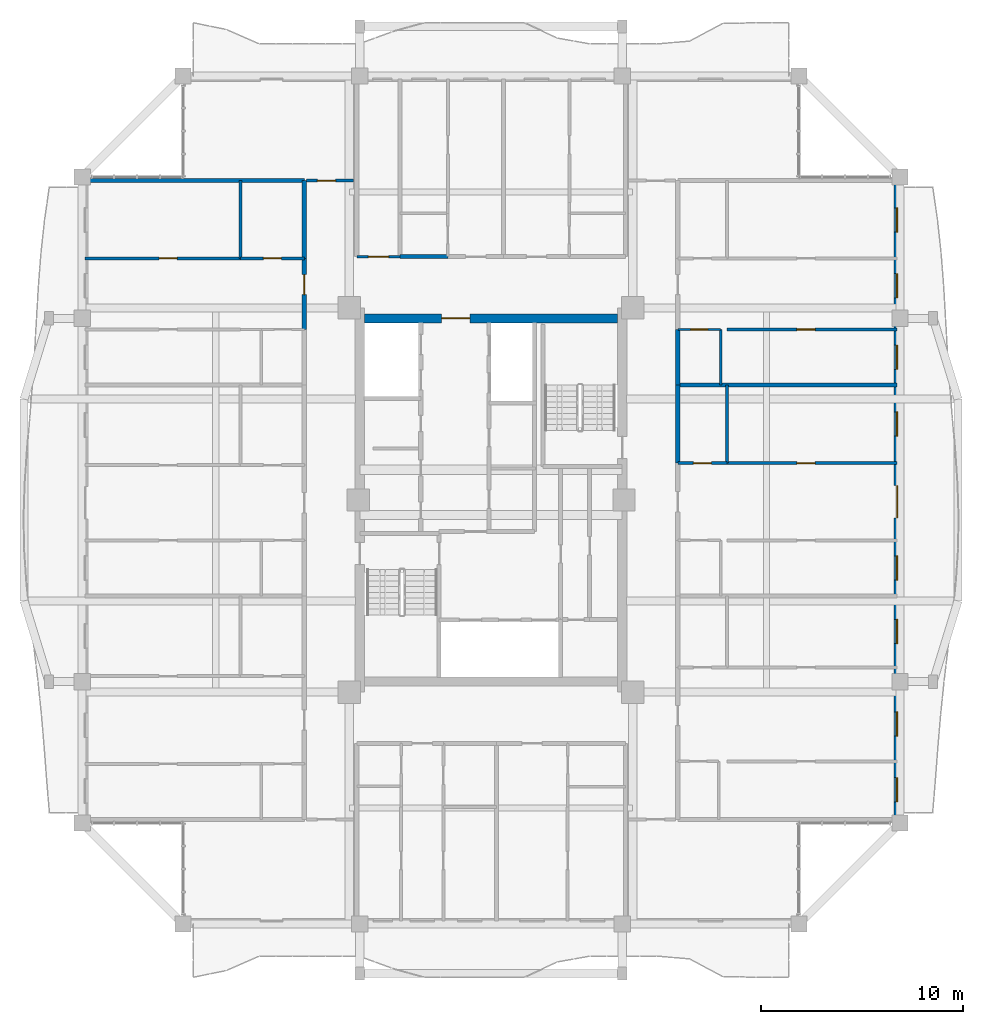
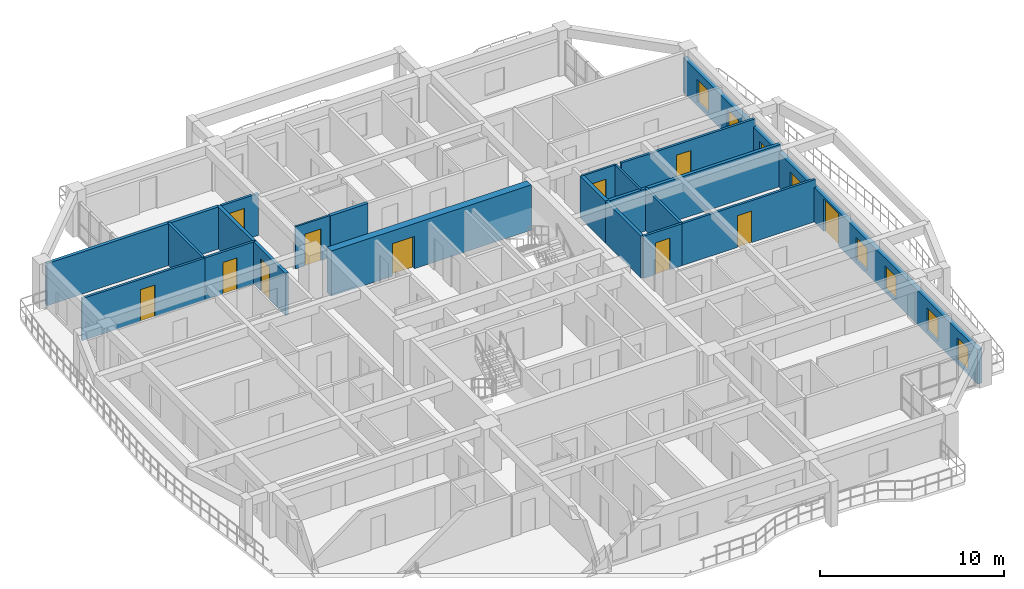
# One storey, part 14 of 22: 20 walls, 11 doors, 8 windows, 19 openings.
"""IFC4 building model written with IfcOpenShell, lengths in metres."""

import ifcopenshell
import ifcopenshell.guid

model = None  # the IFC model being written
_history = None  # IfcOwnerHistory: only IFC2X3 demands one
_inside = {}  # id of a spatial element -> (the spatial element, [elements in it])
_under = {}  # id of a project, library or spatial element -> (it, [spatial elements below it])
_declared = {}  # id of a project -> (the project, [libraries it declares])
_typed = {}  # id of a type object -> (the type object, [elements of that type])
_made_of = {}  # id of a material, layer set ... -> (it, [elements and type objects made of it])


def new_model(schema):
    """Start an empty IFC model of exactly this schema.

    Asked for "IFC4X3", IfcOpenShell would pick the latest addendum, in which some entities
    have other attributes; the version numbers below select the first issue.
    IFC2X3 requires an IfcOwnerHistory on every rooted entity: one is made here for all.
    """
    global model, _history
    if schema == "IFC4X3":
        model = ifcopenshell.file(schema_version=(4, 3, 0, 0))
    else:
        model = ifcopenshell.file(schema=schema)
    _inside.clear()
    _under.clear()
    _declared.clear()
    _typed.clear()
    _made_of.clear()
    _history = None
    if model.schema == "IFC2X3":
        org = make("IfcOrganization", Name="unknown")
        user = make(
            "IfcPersonAndOrganization",
            ThePerson=make("IfcPerson", FamilyName="unknown"),
            TheOrganization=org,
        )
        app = make(
            "IfcApplication",
            ApplicationDeveloper=org,
            Version="unknown",
            ApplicationFullName="unknown",
            ApplicationIdentifier="unknown",
        )
        _history = make(
            "IfcOwnerHistory",
            OwningUser=user,
            OwningApplication=app,
            ChangeAction="ADDED",
            CreationDate=0,
        )
    return model


def make(cls, **values):
    """One entity of the class cls with the attributes given. An attribute that is None is left unset."""
    return model.create_entity(
        cls, **{name: value for name, value in values.items() if value is not None}
    )


def rooted(cls, **values):
    """An entity with a GlobalId (a new one), such as an element, a storey or a relation."""
    return make(cls, GlobalId=ifcopenshell.guid.new(), OwnerHistory=_history, **values)


def si_unit(unit_type, name, prefix=None):
    """IfcSIUnit, for example si_unit("LENGTHUNIT", "METRE", prefix="MILLI")."""
    return make("IfcSIUnit", UnitType=unit_type, Prefix=prefix, Name=name)


def assignment(units):
    """IfcUnitAssignment: the units of a project."""
    return None if units is None else make("IfcUnitAssignment", Units=units)


def point(xyz):
    """IfcCartesianPoint."""
    return None if xyz is None else make("IfcCartesianPoint", Coordinates=xyz)


def direction(xyz):
    """IfcDirection."""
    return None if xyz is None else make("IfcDirection", DirectionRatios=xyz)


def frame(location, z_axis=None, x_axis=None):
    """IfcAxis2Placement3D, a coordinate frame: its origin and axes. An axis left out is left unset."""
    return make(
        "IfcAxis2Placement3D",
        Location=point(location),
        Axis=direction(z_axis),
        RefDirection=direction(x_axis),
    )


def frame_2d(location, x_axis=None):
    """IfcAxis2Placement2D, a coordinate frame in the plane: its origin and x axis."""
    return make(
        "IfcAxis2Placement2D", Location=point(location), RefDirection=direction(x_axis)
    )


def origin():
    """The frame at (0, 0, 0) with its axes left unset."""
    return frame((0.0, 0.0, 0.0))


def place(relative_to, where):
    """IfcLocalPlacement: puts the frame where relative to a parent placement (None: the world)."""
    return make(
        "IfcLocalPlacement", PlacementRelTo=relative_to, RelativePlacement=where
    )


def context(
    kind, dimensions, precision=None, world=None, true_north=None, identifier=None
):
    """IfcGeometricRepresentationContext, for example the 3D "Model" context."""
    return make(
        "IfcGeometricRepresentationContext",
        ContextIdentifier=identifier,
        ContextType=kind,
        CoordinateSpaceDimension=dimensions,
        Precision=precision,
        WorldCoordinateSystem=world,
        TrueNorth=true_north,
    )


def subcontext(parent, identifier, kind, view, scale=None):
    """IfcGeometricRepresentationSubContext, for example "Body" below "Model"."""
    return make(
        "IfcGeometricRepresentationSubContext",
        ContextIdentifier=identifier,
        ContextType=kind,
        ParentContext=parent,
        TargetScale=scale,
        TargetView=view,
    )


def project(units=None, contexts=None):
    """IfcProject with its units and contexts."""
    return rooted(
        "IfcProject",
        Name="project",
        RepresentationContexts=contexts,
        UnitsInContext=assignment(units),
    )


def spatial(cls, under=None, at=None, **own):
    """A site, building, storey or space (cls), placed at a placement, below another one or the project."""
    s = rooted(cls, ObjectPlacement=at, **own)
    if under is not None:
        _under.setdefault(under.id(), (under, []))[1].append(s)
    return s


def profile(cls, at=None, kind="AREA", **sizes):
    """A parametric profile (cls). Its sizes go by their IFC names, for example OverallWidth=200.0."""
    return make(cls, ProfileType=kind, Position=at, **sizes)


def rectangle(**sizes):
    """IfcRectangleProfileDef."""
    return profile("IfcRectangleProfileDef", **sizes)


def extrude(swept, where, along, depth):
    """IfcExtrudedAreaSolid: the profile swept, set in the frame where, extruded along a direction by depth."""
    return make(
        "IfcExtrudedAreaSolid",
        SweptArea=swept,
        Position=where,
        ExtrudedDirection=direction(along),
        Depth=depth,
    )


def shape(context_of_items, identifier, shape_type, items):
    """IfcShapeRepresentation: the items that make up one representation, for example the "Body"."""
    return make(
        "IfcShapeRepresentation",
        ContextOfItems=context_of_items,
        RepresentationIdentifier=identifier,
        RepresentationType=shape_type,
        Items=items,
    )


def source(mapping_origin, context_of_items, identifier, shape_type, items):
    """IfcRepresentationMap: a shape defined once, which mapped items show again and again."""
    return make(
        "IfcRepresentationMap",
        MappingOrigin=mapping_origin,
        MappedRepresentation=shape(context_of_items, identifier, shape_type, items),
    )


def transform(
    local_origin,
    x_axis=None,
    y_axis=None,
    z_axis=None,
    scale=None,
    scale2=None,
    scale3=None,
    uniform=True,
):
    """IfcCartesianTransformationOperator3D, or its non-uniform kind. x_axis, y_axis, z_axis: its Axis1, 2, 3."""
    if uniform:
        return make(
            "IfcCartesianTransformationOperator3D",
            Axis1=direction(x_axis),
            Axis2=direction(y_axis),
            LocalOrigin=point(local_origin),
            Scale=scale,
            Axis3=direction(z_axis),
        )
    return make(
        "IfcCartesianTransformationOperator3DnonUniform",
        Axis1=direction(x_axis),
        Axis2=direction(y_axis),
        LocalOrigin=point(local_origin),
        Scale=scale,
        Axis3=direction(z_axis),
        Scale2=scale2,
        Scale3=scale3,
    )


def mapped(mapping_source, mapping_target):
    """IfcMappedItem: shows the shape of a source again, moved by a transform."""
    return make(
        "IfcMappedItem", MappingSource=mapping_source, MappingTarget=mapping_target
    )


def material(Name=None, Category=None):
    """IfcMaterial."""
    return make("IfcMaterial", Name=Name, Category=Category)


def layer(
    of_material, thickness, ventilated=None, Name=None, Category=None, Priority=None
):
    """IfcMaterialLayer: one layer of a wall or slab, of a material (None: an air gap)."""
    return make(
        "IfcMaterialLayer",
        Material=of_material,
        LayerThickness=thickness,
        IsVentilated=ventilated,
        Name=Name,
        Category=Category,
        Priority=Priority,
    )


def layer_set(layers, Name=None):
    """IfcMaterialLayerSet."""
    return make("IfcMaterialLayerSet", MaterialLayers=layers, LayerSetName=Name)


def made_of(thing, what):
    """Note that an element or type object is made of a material, layer set ...; save() writes the relation."""
    if what is not None:
        _made_of.setdefault(what.id(), (what, []))[1].append(thing)
    return thing


def type_object(cls, material=None, **own):
    """A type object (cls), such as IfcWallType, which elements share."""
    return made_of(rooted(cls, **own), material)


def element(
    cls,
    number,
    at=None,
    inside=None,
    cuts=None,
    type_object=None,
    material=None,
    context=None,
    identifier="Body",
    shape_type=None,
    held_by="IfcProductDefinitionShape",
    body=None,
    shapes=None,
    **own,
):
    """One element of the class cls, such as IfcWall. Its Tag is "e" and its number.

    at: its placement. inside: the storey or other place that contains it. cuts: it is an
    opening in that element (IfcRelVoidsElement). A single representation is given by context,
    identifier, shape_type and body (its items); several are given by shapes. held_by: the class
    of the entity that holds the representations. save() writes the other relations.
    """
    e = rooted(cls, Tag="e%d" % number, ObjectPlacement=at, **own)
    if body is not None:
        shapes = [shape(context, identifier, shape_type, body)]
    if shapes is not None:
        e.Representation = make(held_by, Representations=shapes)
    if inside is not None:
        _inside.setdefault(inside.id(), (inside, []))[1].append(e)
    if cuts is not None:
        rooted(
            "IfcRelVoidsElement", RelatingBuildingElement=cuts, RelatedOpeningElement=e
        )
    if type_object is not None:
        _typed.setdefault(type_object.id(), (type_object, []))[1].append(e)
    return made_of(e, material)


def fill(opening, filler):
    """IfcRelFillsElement: the door or window that sits in an opening."""
    return rooted(
        "IfcRelFillsElement",
        RelatingOpeningElement=opening,
        RelatedBuildingElement=filler,
    )


def aggregate(whole, parts):
    """IfcRelAggregates: a whole, such as a stair, and the parts it consists of."""
    return rooted("IfcRelAggregates", RelatingObject=whole, RelatedObjects=parts)


def save(model, path):
    """Write the relations noted so far, then the file.

    IfcRelAggregates (storeys below a building ...), IfcRelContainedInSpatialStructure (elements
    in a storey), IfcRelDefinesByType, IfcRelAssociatesMaterial and IfcRelDeclares: one each for
    every whole, place, type object, material and project.
    """
    for whole, parts in _under.values():
        aggregate(whole, parts)
    for where, things in _inside.values():
        rooted(
            "IfcRelContainedInSpatialStructure",
            RelatedElements=things,
            RelatingStructure=where,
        )
    for kind, things in _typed.values():
        rooted("IfcRelDefinesByType", RelatedObjects=things, RelatingType=kind)
    for what, things in _made_of.values():
        rooted("IfcRelAssociatesMaterial", RelatedObjects=things, RelatingMaterial=what)
    for by, libraries in _declared.values():
        rooted("IfcRelDeclares", RelatingContext=by, RelatedDefinitions=libraries)
    model.write(path)


model = new_model("IFC4")

# Units and contexts
model_context = context("Model", 3, precision=1e-05, world=origin(), true_north=direction((0.0, 1.0)))
body_context = subcontext(model_context, "Body", "Model", "MODEL_VIEW")
ifc_project = project(units=[si_unit("LENGTHUNIT", "METRE"), si_unit("AREAUNIT", "SQUARE_METRE"), si_unit("VOLUMEUNIT", "CUBIC_METRE"), si_unit("PLANEANGLEUNIT", "RADIAN"), si_unit("MASSUNIT", "GRAM", prefix="KILO")], contexts=[model_context])

# Site, building, storey
site_placement = place(None, origin())
site = spatial("IfcSite", under=ifc_project, at=site_placement, CompositionType="ELEMENT")
building_placement = place(site_placement, origin())
building = spatial("IfcBuilding", under=site, at=building_placement, Name="Saelheon Loggia Tower", CompositionType="ELEMENT")
storey_placement = place(building_placement, frame((0.0, 0.0, 176.800048828125)))
storey = spatial("IfcBuildingStorey", under=building, at=storey_placement, Name="L55", CompositionType="ELEMENT", Elevation=176.800048828125)

# Wall, opening, door
ifc_material_1 = material(Name="Concrete C45/55", Category="concrete")
ifc_layer_1 = layer(ifc_material_1, 0.449951171875)
ifc_layer_set_1 = layer_set([ifc_layer_1], Name="Concrete C45/55")
wall_type_1 = type_object("IfcWallType", Name="Wall_CoreShear_450", PredefinedType="SHEAR", material=ifc_layer_set_1)
wall_1_placement = place(storey_placement, frame((31.72509765625, 36.0, 0.0), z_axis=(0.0, 0.0, 1.0), x_axis=(1.0, 0.0, 0.0)))
wall_1 = element("IfcWall", 1, at=wall_1_placement, inside=storey, type_object=wall_type_1, Name="L55 Core Shear Wall North", PredefinedType="SHEAR", context=body_context, shape_type="SweptSolid", body=[
    extrude(rectangle(XDim=12.5498046875, YDim=0.449951171875, at=frame_2d((6.27490234375, 0.0))), origin(), (0.0, 0.0, 1.0), 3.0),
])
opening_1_placement = place(wall_1_placement, frame((5.224853515625, 0.0, 0.0), z_axis=(0.0, 0.0, 1.0), x_axis=(-1.0, 0.0, 0.0)))
opening_1 = element("IfcOpeningElement", 2, at=opening_1_placement, cuts=wall_1, Name="Opening D-FD2L", PredefinedType="OPENING", context=body_context, shape_type="SweptSolid", body=[
    extrude(rectangle(XDim=1.39990234375, YDim=2.14990234375, at=frame_2d((0.699951171875, 1.074951171875))), frame((0.0, 0.237060546875, 0.0), z_axis=(0.0, -1.0, 0.0), x_axis=(1.0, 0.0, 0.0)), (0.0, 0.0, 1.0), 0.473876953125),
])
ifc_material_2 = material(Name="Galvanised Steel Glazed Lobby Fire Door", Category="steel")
door_type_1 = type_object("IfcDoorType", Name="Door_Fire_FD60_1400", OperationType="NOTDEFINED", PredefinedType="DOOR", material=ifc_material_2)
shared_shape_1 = source(origin(), body_context, "Body", "SweptSolid", [
    extrude(rectangle(XDim=1.39990234375, YDim=2.14990234375, at=frame_2d((0.699951171875, 1.074951171875))), frame((0.0, 0.02490234375, 0.0), z_axis=(0.0, -1.0, 0.0), x_axis=(1.0, 0.0, 0.0)), (0.0, 0.0, 1.0), 0.050048828125),
])
door_1_placement = place(opening_1_placement, origin())
door_1 = element("IfcDoor", 3, at=door_1_placement, inside=storey, type_object=door_type_1, Name="L55 Passenger Lift Lobby Main Door", OperationType="SINGLE_SWING_RIGHT", OverallHeight=2.14990234375, OverallWidth=1.39990234375, PredefinedType="DOOR", context=body_context, shape_type="MappedRepresentation", body=[
    mapped(shared_shape_1, transform((0.0, 0.0, 0.0), scale=1.0)),
])
fill(opening_1, door_1)

# Wall, openings, windows, door
ifc_material_3 = material(Name="Architectural Precast Concrete C40/50", Category="concrete")
ifc_layer_2 = layer(ifc_material_3, 0.280029296875)
ifc_layer_set_2 = layer_set([ifc_layer_2], Name="Architectural Precast Concrete C40/50")
wall_type_2 = type_object("IfcWallType", Name="Wall_Ext_Loggia_280", PredefinedType="SOLIDWALL", material=ifc_layer_set_2)
wall_2_placement = place(storey_placement, frame((58.110107421875, 11.0, 0.0), z_axis=(0.0, 0.0, 1.0), x_axis=(0.0, 1.0, 0.0)))
wall_2 = element("IfcWall", 4, at=wall_2_placement, inside=storey, type_object=wall_type_2, Name="L55 East Loggia Inner Wall", PredefinedType="SOLIDWALL", context=body_context, shape_type="SweptSolid", body=[
    extrude(rectangle(XDim=32.0, YDim=0.280029296875, at=frame_2d((16.0, 0.0))), origin(), (0.0, 0.0, 1.0), 2.280029296875),
])
opening_2_placement = place(wall_2_placement, frame((1.049560546875, 0.0, 0.25)))
opening_2 = element("IfcOpeningElement", 5, at=opening_2_placement, cuts=wall_2, Name="Opening WN-03", PredefinedType="OPENING", context=body_context, shape_type="SweptSolid", body=[
    extrude(rectangle(XDim=1.199951171875, YDim=1.5, at=frame_2d((0.60009765625, 0.75))), frame((0.0, 0.152099609375, 0.0), z_axis=(0.0, -1.0, 0.0), x_axis=(1.0, 0.0, 0.0)), (0.0, 0.0, 1.0), 0.303955078125),
])
opening_3_placement = place(wall_2_placement, frame((4.3095703125, 0.0, 0.25)))
opening_3 = element("IfcOpeningElement", 6, at=opening_3_placement, cuts=wall_2, Name="Opening WN-03", PredefinedType="OPENING", context=body_context, shape_type="SweptSolid", body=[
    extrude(rectangle(XDim=1.199951171875, YDim=1.5, at=frame_2d((0.60009765625, 0.75))), frame((0.0, 0.152099609375, 0.0), z_axis=(0.0, -1.0, 0.0), x_axis=(1.0, 0.0, 0.0)), (0.0, 0.0, 1.0), 0.303955078125),
])
opening_4_placement = place(wall_2_placement, frame((8.882080078125, 0.0, 0.25)))
opening_4 = element("IfcOpeningElement", 7, at=opening_4_placement, cuts=wall_2, Name="Opening WN-03", PredefinedType="OPENING", context=body_context, shape_type="SweptSolid", body=[
    extrude(rectangle(XDim=1.199951171875, YDim=1.5, at=frame_2d((0.60009765625, 0.75))), frame((0.0, 0.152099609375, 0.0), z_axis=(0.0, -1.0, 0.0), x_axis=(1.0, 0.0, 0.0)), (0.0, 0.0, 1.0), 0.303955078125),
])
opening_5_placement = place(wall_2_placement, frame((12.029052734375, 0.0, 0.25)))
opening_5 = element("IfcOpeningElement", 8, at=opening_5_placement, cuts=wall_2, Name="Opening WN-03", PredefinedType="OPENING", context=body_context, shape_type="SweptSolid", body=[
    extrude(rectangle(XDim=1.199951171875, YDim=1.5, at=frame_2d((0.60009765625, 0.75))), frame((0.0, 0.152099609375, 0.0), z_axis=(0.0, -1.0, 0.0), x_axis=(1.0, 0.0, 0.0)), (0.0, 0.0, 1.0), 0.303955078125),
])
opening_6_placement = place(wall_2_placement, frame((16.717529296875, 0.0, 0.0), z_axis=(0.0, 0.0, 1.0), x_axis=(-1.0, 0.0, 0.0)))
opening_6 = element("IfcOpeningElement", 9, at=opening_6_placement, cuts=wall_2, Name="Opening DLG-1", PredefinedType="OPENING", context=body_context, shape_type="SweptSolid", body=[
    extrude(rectangle(XDim=1.60009765625, YDim=2.14990234375, at=frame_2d((0.800048828125, 1.074951171875))), frame((0.0, 0.152099609375, 0.0), z_axis=(0.0, -1.0, 0.0), x_axis=(1.0, 0.0, 0.0)), (0.0, 0.0, 1.0), 0.303955078125),
])
opening_7_placement = place(wall_2_placement, frame((19.1630859375, 0.0, 0.25)))
opening_7 = element("IfcOpeningElement", 10, at=opening_7_placement, cuts=wall_2, Name="Opening WN-03", PredefinedType="OPENING", context=body_context, shape_type="SweptSolid", body=[
    extrude(rectangle(XDim=1.199951171875, YDim=1.5, at=frame_2d((0.60009765625, 0.75))), frame((0.0, 0.152099609375, 0.0), z_axis=(0.0, -1.0, 0.0), x_axis=(1.0, 0.0, 0.0)), (0.0, 0.0, 1.0), 0.303955078125),
])
opening_8_placement = place(wall_2_placement, frame((22.47021484375, 0.0, 0.25)))
opening_8 = element("IfcOpeningElement", 11, at=opening_8_placement, cuts=wall_2, Name="Opening WN-03", PredefinedType="OPENING", context=body_context, shape_type="SweptSolid", body=[
    extrude(rectangle(XDim=1.199951171875, YDim=1.5, at=frame_2d((0.60009765625, 0.75))), frame((0.0, 0.152099609375, 0.0), z_axis=(0.0, -1.0, 0.0), x_axis=(1.0, 0.0, 0.0)), (0.0, 0.0, 1.0), 0.303955078125),
])
opening_9_placement = place(wall_2_placement, frame((26.00634765625, 0.0, 0.25)))
opening_9 = element("IfcOpeningElement", 12, at=opening_9_placement, cuts=wall_2, Name="Opening WN-03", PredefinedType="OPENING", context=body_context, shape_type="SweptSolid", body=[
    extrude(rectangle(XDim=1.199951171875, YDim=1.5, at=frame_2d((0.60009765625, 0.75))), frame((0.0, 0.152099609375, 0.0), z_axis=(0.0, -1.0, 0.0), x_axis=(1.0, 0.0, 0.0)), (0.0, 0.0, 1.0), 0.303955078125),
])
opening_10_placement = place(wall_2_placement, frame((29.266357421875, 0.0, 0.25)))
opening_10 = element("IfcOpeningElement", 13, at=opening_10_placement, cuts=wall_2, Name="Opening WN-03", PredefinedType="OPENING", context=body_context, shape_type="SweptSolid", body=[
    extrude(rectangle(XDim=1.199951171875, YDim=1.5, at=frame_2d((0.60009765625, 0.75))), frame((0.0, 0.152099609375, 0.0), z_axis=(0.0, -1.0, 0.0), x_axis=(1.0, 0.0, 0.0)), (0.0, 0.0, 1.0), 0.303955078125),
])
ifc_material_4 = material(Name="Thermal-Break Aluminium and Triple Low-E Glass", Category="aluminium")
window_type = type_object("IfcWindowType", Name="Win_Bedroom_1200x1500", PartitioningType="SINGLE_PANEL", PredefinedType="WINDOW", material=ifc_material_4)
shared_shape_2 = source(origin(), body_context, "Body", "SweptSolid", [
    extrude(rectangle(XDim=1.199951171875, YDim=1.5, at=frame_2d((0.60009765625, 0.75))), frame((0.0, 0.030029296875, 0.0), z_axis=(0.0, -1.0, 0.0), x_axis=(1.0, 0.0, 0.0)), (0.0, 0.0, 1.0), 0.06005859375),
])
window_1_placement = place(opening_2_placement, origin())
window_1 = element("IfcWindow", 14, at=window_1_placement, inside=storey, type_object=window_type, Name="L55 E Dwelling Window 1", OverallHeight=1.5, OverallWidth=1.199951171875, PartitioningType="SINGLE_PANEL", PredefinedType="WINDOW", context=body_context, shape_type="MappedRepresentation", body=[
    mapped(shared_shape_2, transform((0.0, 0.0, 0.0), scale=1.0)),
])
fill(opening_2, window_1)
window_2_placement = place(opening_3_placement, origin())
window_2 = element("IfcWindow", 15, at=window_2_placement, inside=storey, type_object=window_type, Name="L55 E Dwelling Window 2", OverallHeight=1.5, OverallWidth=1.199951171875, PartitioningType="SINGLE_PANEL", PredefinedType="WINDOW", context=body_context, shape_type="MappedRepresentation", body=[
    mapped(shared_shape_2, transform((0.0, 0.0, 0.0), scale=1.0)),
])
fill(opening_3, window_2)
window_3_placement = place(opening_4_placement, origin())
window_3 = element("IfcWindow", 16, at=window_3_placement, inside=storey, type_object=window_type, Name="L55 E Dwelling Window 3", OverallHeight=1.5, OverallWidth=1.199951171875, PartitioningType="SINGLE_PANEL", PredefinedType="WINDOW", context=body_context, shape_type="MappedRepresentation", body=[
    mapped(shared_shape_2, transform((0.0, 0.0, 0.0), scale=1.0)),
])
fill(opening_4, window_3)
window_4_placement = place(opening_5_placement, origin())
window_4 = element("IfcWindow", 17, at=window_4_placement, inside=storey, type_object=window_type, Name="L55 E Dwelling Window 4", OverallHeight=1.5, OverallWidth=1.199951171875, PartitioningType="SINGLE_PANEL", PredefinedType="WINDOW", context=body_context, shape_type="MappedRepresentation", body=[
    mapped(shared_shape_2, transform((0.0, 0.0, 0.0), scale=1.0)),
])
fill(opening_5, window_4)
window_5_placement = place(opening_7_placement, origin())
window_5 = element("IfcWindow", 18, at=window_5_placement, inside=storey, type_object=window_type, Name="L55 E Dwelling Window 6", OverallHeight=1.5, OverallWidth=1.199951171875, PartitioningType="SINGLE_PANEL", PredefinedType="WINDOW", context=body_context, shape_type="MappedRepresentation", body=[
    mapped(shared_shape_2, transform((0.0, 0.0, 0.0), scale=1.0)),
])
fill(opening_7, window_5)
window_6_placement = place(opening_8_placement, origin())
window_6 = element("IfcWindow", 19, at=window_6_placement, inside=storey, type_object=window_type, Name="L55 E Dwelling Window 7", OverallHeight=1.5, OverallWidth=1.199951171875, PartitioningType="SINGLE_PANEL", PredefinedType="WINDOW", context=body_context, shape_type="MappedRepresentation", body=[
    mapped(shared_shape_2, transform((0.0, 0.0, 0.0), scale=1.0)),
])
fill(opening_8, window_6)
window_7_placement = place(opening_9_placement, origin())
window_7 = element("IfcWindow", 20, at=window_7_placement, inside=storey, type_object=window_type, Name="L55 E Dwelling Window 8", OverallHeight=1.5, OverallWidth=1.199951171875, PartitioningType="SINGLE_PANEL", PredefinedType="WINDOW", context=body_context, shape_type="MappedRepresentation", body=[
    mapped(shared_shape_2, transform((0.0, 0.0, 0.0), scale=1.0)),
])
fill(opening_9, window_7)
window_8_placement = place(opening_10_placement, origin())
window_8 = element("IfcWindow", 21, at=window_8_placement, inside=storey, type_object=window_type, Name="L55 E Dwelling Window 9", OverallHeight=1.5, OverallWidth=1.199951171875, PartitioningType="SINGLE_PANEL", PredefinedType="WINDOW", context=body_context, shape_type="MappedRepresentation", body=[
    mapped(shared_shape_2, transform((0.0, 0.0, 0.0), scale=1.0)),
])
fill(opening_10, window_8)
ifc_material_5 = material(Name="Thermal-Break Aluminium Sliding Glazed Door", Category="aluminium")
door_type_2 = type_object("IfcDoorType", Name="Door_LoggiaSlide_1600", OperationType="SLIDING_TO_LEFT", PredefinedType="DOOR", material=ifc_material_5)
shared_shape_3 = source(origin(), body_context, "Body", "SweptSolid", [
    extrude(rectangle(XDim=1.60009765625, YDim=2.14990234375, at=frame_2d((0.800048828125, 1.074951171875))), frame((0.0, 0.02490234375, 0.0), z_axis=(0.0, -1.0, 0.0), x_axis=(1.0, 0.0, 0.0)), (0.0, 0.0, 1.0), 0.050048828125),
])
door_2_placement = place(opening_6_placement, origin())
door_2 = element("IfcDoor", 22, at=door_2_placement, inside=storey, type_object=door_type_2, Name="L55 E Loggia Access Door", OperationType="SLIDING_TO_LEFT", OverallHeight=2.14990234375, OverallWidth=1.60009765625, PredefinedType="DOOR", context=body_context, shape_type="MappedRepresentation", body=[
    mapped(shared_shape_3, transform((0.0, 0.0, 0.0), scale=1.0)),
])
fill(opening_6, door_2)

# Wall, opening, door
ifc_material_6 = material(Name="Lightweight Autoclaved Aerated Concrete Block and Acoustic Gypsum", Category="concrete")
ifc_layer_3 = layer(ifc_material_6, 0.14990234375)
ifc_layer_set_3 = layer_set([ifc_layer_3], Name="Lightweight Autoclaved Aerated Concrete Block and Acoustic Gypsum")
wall_type_3 = type_object("IfcWallType", Name="Wall_Part_150", PredefinedType="PARTITIONING", material=ifc_layer_set_3)
wall_3_placement = place(storey_placement, frame((28.85009765625, 42.820068359375, 0.0), z_axis=(0.0, 0.0, 1.0), x_axis=(1.0, 0.0, 0.0)))
wall_3 = element("IfcWall", 23, at=wall_3_placement, inside=storey, type_object=wall_type_3, Name="PW-L55-CNW-H", PredefinedType="PARTITIONING", context=body_context, shape_type="SweptSolid", body=[
    extrude(rectangle(XDim=2.329833984375, YDim=0.14990234375, at=frame_2d((1.1650390625, 0.0))), origin(), (0.0, 0.0, 1.0), 2.7900390625),
])
opening_11_placement = place(wall_3_placement, frame((0.550048828125, 0.0, 0.0)))
opening_11 = element("IfcOpeningElement", 24, at=opening_11_placement, cuts=wall_3, Name="Opening D-IN2", PredefinedType="OPENING", context=body_context, shape_type="SweptSolid", body=[
    extrude(rectangle(XDim=0.89990234375, YDim=2.10009765625, at=frame_2d((0.449951171875, 1.050048828125))), frame((0.0, 0.0869140625, 0.0), z_axis=(0.0, -1.0, 0.0), x_axis=(1.0, 0.0, 0.0)), (0.0, 0.0, 1.0), 0.173828125),
])
ifc_material_7 = material(Name="Engineered Oak Flush Door", Category="timber")
door_type_3 = type_object("IfcDoorType", Name="Door_Int_900", OperationType="NOTDEFINED", PredefinedType="DOOR", material=ifc_material_7)
shared_shape_4 = source(origin(), body_context, "Body", "SweptSolid", [
    extrude(rectangle(XDim=0.89990234375, YDim=2.10009765625, at=frame_2d((0.449951171875, 1.050048828125))), frame((0.0, 0.02490234375, 0.0), z_axis=(0.0, -1.0, 0.0), x_axis=(1.0, 0.0, 0.0)), (0.0, 0.0, 1.0), 0.050048828125),
])
door_3_placement = place(opening_11_placement, origin())
door_3 = element("IfcDoor", 25, at=door_3_placement, inside=storey, type_object=door_type_3, Name="L55 Corner Home Office NW Door", OperationType="SINGLE_SWING_RIGHT", OverallHeight=2.10009765625, OverallWidth=0.89990234375, PredefinedType="DOOR", context=body_context, shape_type="MappedRepresentation", body=[
    mapped(shared_shape_4, transform((0.0, 0.0, 0.0), scale=1.0)),
])
fill(opening_11, door_3)

# Wall
wall_4_placement = place(storey_placement, frame((25.590087890625, 38.97265625, 0.0), z_axis=(0.0, 0.0, 1.0), x_axis=(0.0, 1.0, 0.0)))
element("IfcWall", 26, at=wall_4_placement, inside=storey, type_object=wall_type_3, Name="L55 W Partition V29", PredefinedType="PARTITIONING", context=body_context, shape_type="SweptSolid", body=[
    extrude(rectangle(XDim=3.847412109375, YDim=0.14990234375, at=frame_2d((1.923828125, 0.0))), origin(), (0.0, 0.0, 1.0), 2.7900390625),
])

# Wall, opening, door
wall_5_placement = place(storey_placement, frame((28.75, 38.97265625, 0.0), z_axis=(0.0, 0.0, 1.0), x_axis=(-1.0, 0.0, 0.0)))
wall_5 = element("IfcWall", 27, at=wall_5_placement, inside=storey, type_object=wall_type_3, Name="L55 W Partition U33", PredefinedType="PARTITIONING", context=body_context, shape_type="SweptSolid", body=[
    extrude(rectangle(XDim=3.159912109375, YDim=0.14990234375, at=frame_2d((1.580078125, 0.0))), origin(), (0.0, 0.0, 1.0), 2.7900390625),
])
opening_12_placement = place(wall_5_placement, frame((1.1298828125, 0.0, 0.0)))
opening_12 = element("IfcOpeningElement", 28, at=opening_12_placement, cuts=wall_5, Name="Opening D-IN2", PredefinedType="OPENING", context=body_context, shape_type="SweptSolid", body=[
    extrude(rectangle(XDim=0.89990234375, YDim=2.10009765625, at=frame_2d((0.449951171875, 1.050048828125))), frame((0.0, 0.0869140625, 0.0), z_axis=(0.0, -1.0, 0.0), x_axis=(1.0, 0.0, 0.0)), (0.0, 0.0, 1.0), 0.173828125),
])
door_4_placement = place(opening_12_placement, origin())
door_4 = element("IfcDoor", 29, at=door_4_placement, inside=storey, type_object=door_type_3, Name="Unit U07 Private Study Door", OperationType="SINGLE_SWING_LEFT", OverallHeight=2.10009765625, OverallWidth=0.89990234375, PredefinedType="DOOR", context=body_context, shape_type="MappedRepresentation", body=[
    mapped(shared_shape_4, transform((0.0, 0.0, 0.0), scale=1.0)),
])
fill(opening_12, door_4)

wall_6_placement = place(storey_placement, frame((25.590087890625, 38.97265625, 0.0), z_axis=(0.0, 0.0, 1.0), x_axis=(-1.0, 0.0, 0.0)))
wall_6 = element("IfcWall", 30, at=wall_6_placement, inside=storey, type_object=wall_type_3, Name="L55 W Partition U34", PredefinedType="PARTITIONING", context=body_context, shape_type="SweptSolid", body=[
    extrude(rectangle(XDim=7.690185546875, YDim=0.14990234375, at=frame_2d((3.84521484375, 0.0))), origin(), (0.0, 0.0, 1.0), 2.7900390625),
])
opening_13_placement = place(wall_6_placement, frame((3.132080078125, 0.0, 0.0)))
opening_13 = element("IfcOpeningElement", 31, at=opening_13_placement, cuts=wall_6, Name="Opening D-IN2", PredefinedType="OPENING", context=body_context, shape_type="SweptSolid", body=[
    extrude(rectangle(XDim=0.89990234375, YDim=2.10009765625, at=frame_2d((0.449951171875, 1.050048828125))), frame((0.0, 0.0869140625, 0.0), z_axis=(0.0, -1.0, 0.0), x_axis=(1.0, 0.0, 0.0)), (0.0, 0.0, 1.0), 0.173828125),
])
door_5_placement = place(opening_13_placement, origin())
door_5 = element("IfcDoor", 32, at=door_5_placement, inside=storey, type_object=door_type_3, Name="Unit U07 Bedroom 1 Door", OperationType="SINGLE_SWING_RIGHT", OverallHeight=2.10009765625, OverallWidth=0.89990234375, PredefinedType="DOOR", context=body_context, shape_type="MappedRepresentation", body=[
    mapped(shared_shape_4, transform((0.0, 0.0, 0.0), scale=1.0)),
])
fill(opening_13, door_5)

# Wall
wall_7_placement = place(storey_placement, frame((49.68994140625, 28.830810546875, 0.0), z_axis=(0.0, 0.0, 1.0), x_axis=(0.0, 1.0, 0.0)))
element("IfcWall", 33, at=wall_7_placement, inside=storey, type_object=wall_type_3, Name="L55 E Partition V17", PredefinedType="PARTITIONING", context=body_context, shape_type="SweptSolid", body=[
    extrude(rectangle(XDim=3.864501953125, YDim=0.14990234375, at=frame_2d((1.93212890625, 0.0))), origin(), (0.0, 0.0, 1.0), 2.7900390625),
])

# Wall, opening, door
wall_8_placement = place(storey_placement, frame((47.25, 28.830810546875, 0.0), z_axis=(0.0, 0.0, 1.0), x_axis=(1.0, 0.0, 0.0)))
wall_8 = element("IfcWall", 34, at=wall_8_placement, inside=storey, type_object=wall_type_3, Name="L55 E Partition U20", PredefinedType="PARTITIONING", context=body_context, shape_type="SweptSolid", body=[
    extrude(rectangle(XDim=2.43994140625, YDim=0.14990234375, at=frame_2d((1.219970703125, 0.0))), origin(), (0.0, 0.0, 1.0), 2.7900390625),
])
opening_14_placement = place(wall_8_placement, frame((0.77001953125, 0.0, 0.0)))
opening_14 = element("IfcOpeningElement", 35, at=opening_14_placement, cuts=wall_8, Name="Opening D-IN2", PredefinedType="OPENING", context=body_context, shape_type="SweptSolid", body=[
    extrude(rectangle(XDim=0.89990234375, YDim=2.10009765625, at=frame_2d((0.449951171875, 1.050048828125))), frame((0.0, 0.0869140625, 0.0), z_axis=(0.0, -1.0, 0.0), x_axis=(1.0, 0.0, 0.0)), (0.0, 0.0, 1.0), 0.173828125),
])
door_6_placement = place(opening_14_placement, origin())
door_6 = element("IfcDoor", 36, at=door_6_placement, inside=storey, type_object=door_type_3, Name="Unit U09 Dressing Closet Door", OperationType="SINGLE_SWING_LEFT", OverallHeight=2.10009765625, OverallWidth=0.89990234375, PredefinedType="DOOR", context=body_context, shape_type="MappedRepresentation", body=[
    mapped(shared_shape_4, transform((0.0, 0.0, 0.0), scale=1.0)),
])
fill(opening_14, door_6)

wall_9_placement = place(storey_placement, frame((49.68994140625, 28.830810546875, 0.0), z_axis=(0.0, 0.0, 1.0), x_axis=(1.0, 0.0, 0.0)))
wall_9 = element("IfcWall", 37, at=wall_9_placement, inside=storey, type_object=wall_type_3, Name="L55 E Partition U21", PredefinedType="PARTITIONING", context=body_context, shape_type="SweptSolid", body=[
    extrude(rectangle(XDim=8.41015625, YDim=0.14990234375, at=frame_2d((4.205078125, 0.0))), origin(), (0.0, 0.0, 1.0), 2.7900390625),
])
opening_15_placement = place(wall_9_placement, frame((3.462158203125, 0.0, 0.0)))
opening_15 = element("IfcOpeningElement", 38, at=opening_15_placement, cuts=wall_9, Name="Opening D-IN2", PredefinedType="OPENING", context=body_context, shape_type="SweptSolid", body=[
    extrude(rectangle(XDim=0.89990234375, YDim=2.10009765625, at=frame_2d((0.449951171875, 1.050048828125))), frame((0.0, 0.0869140625, 0.0), z_axis=(0.0, -1.0, 0.0), x_axis=(1.0, 0.0, 0.0)), (0.0, 0.0, 1.0), 0.173828125),
])
door_7_placement = place(opening_15_placement, origin())
door_7 = element("IfcDoor", 39, at=door_7_placement, inside=storey, type_object=door_type_3, Name="Unit U09 Bedroom 1 Door", OperationType="SINGLE_SWING_RIGHT", OverallHeight=2.10009765625, OverallWidth=0.89990234375, PredefinedType="DOOR", context=body_context, shape_type="MappedRepresentation", body=[
    mapped(shared_shape_4, transform((0.0, 0.0, 0.0), scale=1.0)),
])
fill(opening_15, door_7)

wall_10_placement = place(storey_placement, frame((49.68994140625, 35.4453125, 0.0), z_axis=(0.0, 0.0, 1.0), x_axis=(1.0, 0.0, 0.0)))
wall_10 = element("IfcWall", 40, at=wall_10_placement, inside=storey, type_object=wall_type_3, Name="L55 E Partition U29", PredefinedType="PARTITIONING", context=body_context, shape_type="SweptSolid", body=[
    extrude(rectangle(XDim=8.41015625, YDim=0.14990234375, at=frame_2d((4.205078125, 0.0))), origin(), (0.0, 0.0, 1.0), 2.7900390625),
])
opening_16_placement = place(wall_10_placement, frame((3.462158203125, 0.0, 0.0)))
opening_16 = element("IfcOpeningElement", 41, at=opening_16_placement, cuts=wall_10, Name="Opening D-IN2", PredefinedType="OPENING", context=body_context, shape_type="SweptSolid", body=[
    extrude(rectangle(XDim=0.89990234375, YDim=2.10009765625, at=frame_2d((0.449951171875, 1.050048828125))), frame((0.0, 0.0869140625, 0.0), z_axis=(0.0, -1.0, 0.0), x_axis=(1.0, 0.0, 0.0)), (0.0, 0.0, 1.0), 0.173828125),
])
door_8_placement = place(opening_16_placement, origin())
door_8 = element("IfcDoor", 42, at=door_8_placement, inside=storey, type_object=door_type_3, Name="Unit U10 Kitchen Door", OperationType="SINGLE_SWING_LEFT", OverallHeight=2.10009765625, OverallWidth=0.89990234375, PredefinedType="DOOR", context=body_context, shape_type="MappedRepresentation", body=[
    mapped(shared_shape_4, transform((0.0, 0.0, 0.0), scale=1.0)),
])
fill(opening_16, door_8)

# Walls
ifc_material_8 = material(Name="Double Acoustic Stud and Fireboard Partition", Category="gypsum")
ifc_layer_4 = layer(ifc_material_8, 0.199951171875)
ifc_layer_set_4 = layer_set([ifc_layer_4], Name="Double Acoustic Stud and Fireboard Partition")
wall_type_4 = type_object("IfcWallType", Name="Wall_Party_200", PredefinedType="PARTITIONING", material=ifc_layer_set_4)
wall_11_placement = place(storey_placement, frame((33.5, 39.050048828125, 0.0), z_axis=(0.0, 0.0, 1.0), x_axis=(1.0, 0.0, 0.0)))
element("IfcWall", 43, at=wall_11_placement, inside=storey, type_object=wall_type_4, Name="L55 N Partition V05", PredefinedType="PARTITIONING", context=body_context, shape_type="SweptSolid", body=[
    extrude(rectangle(XDim=2.359375, YDim=0.199951171875, at=frame_2d((1.1796875, 0.0))), origin(), (0.0, 0.0, 1.0), 2.7900390625),
])
wall_12_placement = place(storey_placement, frame((28.75, 42.820068359375, 0.0), z_axis=(0.0, 0.0, 1.0), x_axis=(-1.0, 0.0, 0.0)))
element("IfcWall", 44, at=wall_12_placement, inside=storey, type_object=wall_type_4, Name="L55 W Partition U02", PredefinedType="PARTITIONING", context=body_context, shape_type="SweptSolid", body=[
    extrude(rectangle(XDim=10.85009765625, YDim=0.199951171875, at=frame_2d((5.425048828125, 0.0))), origin(), (0.0, 0.0, 1.0), 2.7900390625),
])

# Wall, opening, door
wall_13_placement = place(storey_placement, frame((28.75, 35.4453125, 0.0), z_axis=(0.0, 0.0, 1.0), x_axis=(0.0, 1.0, 0.0)))
wall_13 = element("IfcWall", 45, at=wall_13_placement, inside=storey, type_object=wall_type_4, Name="L55 W Partition V26", PredefinedType="PARTITIONING", context=body_context, shape_type="SweptSolid", body=[
    extrude(rectangle(XDim=3.52734375, YDim=0.199951171875, at=frame_2d((1.763671875, 0.0))), origin(), (0.0, 0.0, 1.0), 2.7900390625),
])
opening_17_placement = place(wall_13_placement, frame((1.7236328125, 0.0, 0.0)))
opening_17 = element("IfcOpeningElement", 46, at=opening_17_placement, cuts=wall_13, Name="Opening D-FD1", PredefinedType="OPENING", context=body_context, shape_type="SweptSolid", body=[
    extrude(rectangle(XDim=1.0, YDim=2.14990234375, at=frame_2d((0.5, 1.074951171875))), frame((0.0, 0.112060546875, 0.0), z_axis=(0.0, -1.0, 0.0), x_axis=(1.0, 0.0, 0.0)), (0.0, 0.0, 1.0), 0.223876953125),
])
ifc_material_9 = material(Name="Fire-Rated Engineered Timber Entrance Door", Category="wood")
door_type_4 = type_object("IfcDoorType", Name="Door_Flat_FD30S", OperationType="NOTDEFINED", PredefinedType="DOOR", material=ifc_material_9)
shared_shape_5 = source(origin(), body_context, "Body", "SweptSolid", [
    extrude(rectangle(XDim=1.0, YDim=2.14990234375, at=frame_2d((0.5, 1.074951171875))), frame((0.0, 0.02490234375, 0.0), z_axis=(0.0, -1.0, 0.0), x_axis=(1.0, 0.0, 0.0)), (0.0, 0.0, 1.0), 0.050048828125),
])
door_9_placement = place(opening_17_placement, origin())
door_9 = element("IfcDoor", 47, at=door_9_placement, inside=storey, type_object=door_type_4, Name="Unit U07 Entrance Door", OperationType="SINGLE_SWING_RIGHT", OverallHeight=2.14990234375, OverallWidth=1.0, PredefinedType="DOOR", context=body_context, shape_type="MappedRepresentation", body=[
    mapped(shared_shape_5, transform((0.0, 0.0, 0.0), scale=1.0)),
])
fill(opening_17, door_9)

# Walls
wall_14_placement = place(storey_placement, frame((28.75, 38.97265625, 0.0), z_axis=(0.0, 0.0, 1.0), x_axis=(0.0, 1.0, 0.0)))
element("IfcWall", 48, at=wall_14_placement, inside=storey, type_object=wall_type_4, Name="L55 W Partition V27", PredefinedType="PARTITIONING", context=body_context, shape_type="SweptSolid", body=[
    extrude(rectangle(XDim=3.847412109375, YDim=0.199951171875, at=frame_2d((1.923828125, 0.0))), origin(), (0.0, 0.0, 1.0), 2.7900390625),
])
wall_15_placement = place(storey_placement, frame((47.25, 28.830810546875, 0.0), z_axis=(0.0, 0.0, 1.0), x_axis=(0.0, 1.0, 0.0)))
element("IfcWall", 49, at=wall_15_placement, inside=storey, type_object=wall_type_4, Name="L55 E Partition V15", PredefinedType="PARTITIONING", context=body_context, shape_type="SweptSolid", body=[
    extrude(rectangle(XDim=3.864501953125, YDim=0.199951171875, at=frame_2d((1.93212890625, 0.0))), origin(), (0.0, 0.0, 1.0), 2.7900390625),
])
wall_16_placement = place(storey_placement, frame((47.25, 32.6953125, 0.0), z_axis=(0.0, 0.0, 1.0), x_axis=(1.0, 0.0, 0.0)))
element("IfcWall", 50, at=wall_16_placement, inside=storey, type_object=wall_type_4, Name="L55 E Partition U22", PredefinedType="PARTITIONING", context=body_context, shape_type="SweptSolid", body=[
    extrude(rectangle(XDim=10.85009765625, YDim=0.199951171875, at=frame_2d((5.425048828125, 0.0))), origin(), (0.0, 0.0, 1.0), 2.7900390625),
])
wall_17_placement = place(storey_placement, frame((47.25, 32.6953125, 0.0), z_axis=(0.0, 0.0, 1.0), x_axis=(0.0, 1.0, 0.0)))
element("IfcWall", 51, at=wall_17_placement, inside=storey, type_object=wall_type_4, Name="L55 E Partition V23", PredefinedType="PARTITIONING", context=body_context, shape_type="SweptSolid", body=[
    extrude(rectangle(XDim=2.75, YDim=0.199951171875, at=frame_2d((1.375, 0.0))), origin(), (0.0, 0.0, 1.0), 2.7900390625),
])

# Wall, opening, door
ifc_material_10 = material(Name="Moisture-Resistant Cement Board Partition", Category="gypsum")
ifc_layer_5 = layer(ifc_material_10, 0.1201171875)
ifc_layer_set_5 = layer_set([ifc_layer_5], Name="Moisture-Resistant Cement Board Partition")
wall_type_5 = type_object("IfcWallType", Name="Wall_WetPart_120", PredefinedType="PARTITIONING", material=ifc_layer_set_5)
wall_18_placement = place(storey_placement, frame((31.35009765625, 39.050048828125, 0.0), z_axis=(0.0, 0.0, 1.0), x_axis=(1.0, 0.0, 0.0)))
wall_18 = element("IfcWall", 52, at=wall_18_placement, inside=storey, type_object=wall_type_5, Name="L55 N Partition V04", PredefinedType="PARTITIONING", context=body_context, shape_type="SweptSolid", body=[
    extrude(rectangle(XDim=2.14990234375, YDim=0.1201171875, at=frame_2d((1.074951171875, 0.0))), origin(), (0.0, 0.0, 1.0), 2.7900390625),
])
opening_18_placement = place(wall_18_placement, frame((0.574951171875, 0.0, 0.0)))
opening_18 = element("IfcOpeningElement", 53, at=opening_18_placement, cuts=wall_18, Name="Opening D-AC1", PredefinedType="OPENING", context=body_context, shape_type="SweptSolid", body=[
    extrude(rectangle(XDim=1.0, YDim=2.10009765625, at=frame_2d((0.5, 1.050048828125))), frame((0.0, 0.072021484375, 0.0), z_axis=(0.0, -1.0, 0.0), x_axis=(1.0, 0.0, 0.0)), (0.0, 0.0, 1.0), 0.14404296875),
])
ifc_material_11 = material(Name="Accessible Laminate Flush Door", Category="timber")
door_type_5 = type_object("IfcDoorType", Name="Door_Acc_1000", OperationType="NOTDEFINED", PredefinedType="DOOR", material=ifc_material_11)
shared_shape_6 = source(origin(), body_context, "Body", "SweptSolid", [
    extrude(rectangle(XDim=1.0, YDim=2.10009765625, at=frame_2d((0.5, 1.050048828125))), frame((0.0, 0.02490234375, 0.0), z_axis=(0.0, -1.0, 0.0), x_axis=(1.0, 0.0, 0.0)), (0.0, 0.0, 1.0), 0.050048828125),
])
door_10_placement = place(opening_18_placement, origin())
door_10 = element("IfcDoor", 54, at=door_10_placement, inside=storey, type_object=door_type_5, Name="L55 Floor Accessible WC Door", OperationType="SINGLE_SWING_LEFT", OverallHeight=2.10009765625, OverallWidth=1.0, PredefinedType="DOOR", context=body_context, shape_type="MappedRepresentation", body=[
    mapped(shared_shape_6, transform((0.0, 0.0, 0.0), scale=1.0)),
])
fill(opening_18, door_10)

# Wall
wall_19_placement = place(storey_placement, frame((49.3701171875, 32.6953125, 0.0), z_axis=(0.0, 0.0, 1.0), x_axis=(0.0, 1.0, 0.0)))
element("IfcWall", 55, at=wall_19_placement, inside=storey, type_object=wall_type_5, Name="L55 E Partition V26", PredefinedType="PARTITIONING", context=body_context, shape_type="SweptSolid", body=[
    extrude(rectangle(XDim=2.75, YDim=0.1201171875, at=frame_2d((1.375, 0.0))), origin(), (0.0, 0.0, 1.0), 2.7900390625),
])

# Wall, opening, door
wall_20_placement = place(storey_placement, frame((47.25, 35.4453125, 0.0), z_axis=(0.0, 0.0, 1.0), x_axis=(1.0, 0.0, 0.0)))
wall_20 = element("IfcWall", 56, at=wall_20_placement, inside=storey, type_object=wall_type_5, Name="L55 E Partition U28", PredefinedType="PARTITIONING", context=body_context, shape_type="SweptSolid", body=[
    extrude(rectangle(XDim=2.1201171875, YDim=0.1201171875, at=frame_2d((1.06005859375, 0.0))), origin(), (0.0, 0.0, 1.0), 2.7900390625),
])
opening_19_placement = place(wall_20_placement, frame((0.635009765625, 0.0, 0.0)))
opening_19 = element("IfcOpeningElement", 57, at=opening_19_placement, cuts=wall_20, Name="Opening D-BT1", PredefinedType="OPENING", context=body_context, shape_type="SweptSolid", body=[
    extrude(rectangle(XDim=0.85009765625, YDim=2.050048828125, at=frame_2d((0.425048828125, 1.02490234375))), frame((0.0, 0.072021484375, 0.0), z_axis=(0.0, -1.0, 0.0), x_axis=(1.0, 0.0, 0.0)), (0.0, 0.0, 1.0), 0.14404296875),
])
ifc_material_12 = material(Name="Moisture-Resistant Laminate Timber Door", Category="wood")
door_type_6 = type_object("IfcDoorType", Name="Door_Bath_850", OperationType="NOTDEFINED", PredefinedType="DOOR", material=ifc_material_12)
shared_shape_7 = source(origin(), body_context, "Body", "SweptSolid", [
    extrude(rectangle(XDim=0.85009765625, YDim=2.050048828125, at=frame_2d((0.425048828125, 1.02490234375))), frame((0.0, 0.02490234375, 0.0), z_axis=(0.0, -1.0, 0.0), x_axis=(1.0, 0.0, 0.0)), (0.0, 0.0, 1.0), 0.050048828125),
])
door_11_placement = place(opening_19_placement, origin())
door_11 = element("IfcDoor", 58, at=door_11_placement, inside=storey, type_object=door_type_6, Name="Unit U10 Bathroom Door", OperationType="SINGLE_SWING_RIGHT", OverallHeight=2.050048828125, OverallWidth=0.85009765625, PredefinedType="DOOR", context=body_context, shape_type="MappedRepresentation", body=[
    mapped(shared_shape_7, transform((0.0, 0.0, 0.0), scale=1.0)),
])
fill(opening_19, door_11)

save(model, "model.ifc")
